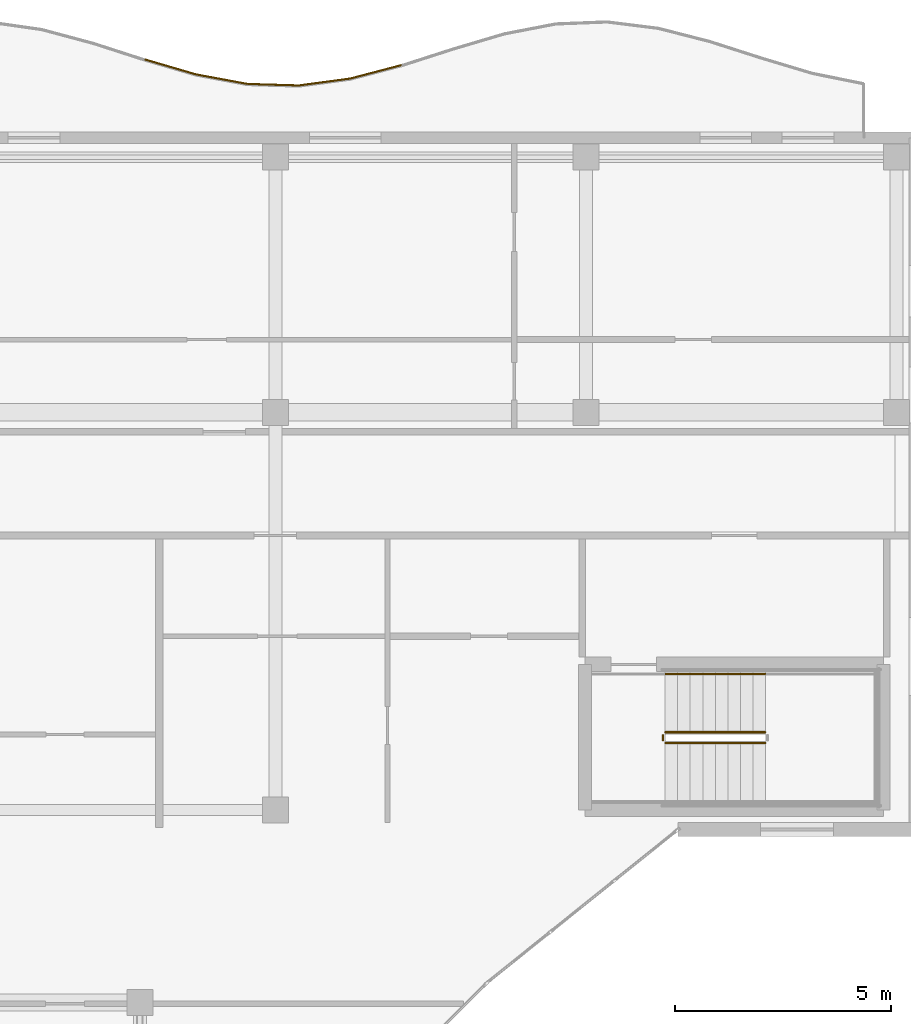
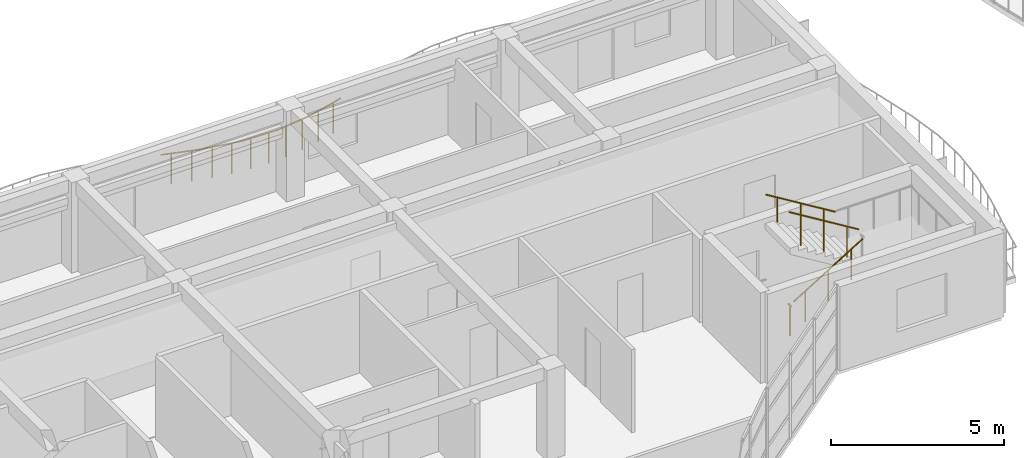
# One storey, part 63 of 71: 9 railings.
"""IFC4 building model written with IfcOpenShell, lengths in metres."""

import ifcopenshell
import ifcopenshell.guid

model = None  # the IFC model being written
_history = None  # IfcOwnerHistory: only IFC2X3 demands one
_inside = {}  # id of a spatial element -> (the spatial element, [elements in it])
_under = {}  # id of a project, library or spatial element -> (it, [spatial elements below it])
_declared = {}  # id of a project -> (the project, [libraries it declares])
_typed = {}  # id of a type object -> (the type object, [elements of that type])
_made_of = {}  # id of a material, layer set ... -> (it, [elements and type objects made of it])


def new_model(schema):
    """Start an empty IFC model of exactly this schema.

    Asked for "IFC4X3", IfcOpenShell would pick the latest addendum, in which some entities
    have other attributes; the version numbers below select the first issue.
    IFC2X3 requires an IfcOwnerHistory on every rooted entity: one is made here for all.
    """
    global model, _history
    if schema == "IFC4X3":
        model = ifcopenshell.file(schema_version=(4, 3, 0, 0))
    else:
        model = ifcopenshell.file(schema=schema)
    _inside.clear()
    _under.clear()
    _declared.clear()
    _typed.clear()
    _made_of.clear()
    _history = None
    if model.schema == "IFC2X3":
        org = make("IfcOrganization", Name="unknown")
        user = make(
            "IfcPersonAndOrganization",
            ThePerson=make("IfcPerson", FamilyName="unknown"),
            TheOrganization=org,
        )
        app = make(
            "IfcApplication",
            ApplicationDeveloper=org,
            Version="unknown",
            ApplicationFullName="unknown",
            ApplicationIdentifier="unknown",
        )
        _history = make(
            "IfcOwnerHistory",
            OwningUser=user,
            OwningApplication=app,
            ChangeAction="ADDED",
            CreationDate=0,
        )
    return model


def make(cls, **values):
    """One entity of the class cls with the attributes given. An attribute that is None is left unset."""
    return model.create_entity(
        cls, **{name: value for name, value in values.items() if value is not None}
    )


def rooted(cls, **values):
    """An entity with a GlobalId (a new one), such as an element, a storey or a relation."""
    return make(cls, GlobalId=ifcopenshell.guid.new(), OwnerHistory=_history, **values)


def si_unit(unit_type, name, prefix=None):
    """IfcSIUnit, for example si_unit("LENGTHUNIT", "METRE", prefix="MILLI")."""
    return make("IfcSIUnit", UnitType=unit_type, Prefix=prefix, Name=name)


def assignment(units):
    """IfcUnitAssignment: the units of a project."""
    return None if units is None else make("IfcUnitAssignment", Units=units)


def point(xyz):
    """IfcCartesianPoint."""
    return None if xyz is None else make("IfcCartesianPoint", Coordinates=xyz)


def direction(xyz):
    """IfcDirection."""
    return None if xyz is None else make("IfcDirection", DirectionRatios=xyz)


def frame(location, z_axis=None, x_axis=None):
    """IfcAxis2Placement3D, a coordinate frame: its origin and axes. An axis left out is left unset."""
    return make(
        "IfcAxis2Placement3D",
        Location=point(location),
        Axis=direction(z_axis),
        RefDirection=direction(x_axis),
    )


def frame_2d(location, x_axis=None):
    """IfcAxis2Placement2D, a coordinate frame in the plane: its origin and x axis."""
    return make(
        "IfcAxis2Placement2D", Location=point(location), RefDirection=direction(x_axis)
    )


def origin():
    """The frame at (0, 0, 0) with its axes left unset."""
    return frame((0.0, 0.0, 0.0))


def origin_2d():
    """The frame at (0, 0) in the plane with its x axis left unset."""
    return frame_2d((0.0, 0.0))


def place(relative_to, where):
    """IfcLocalPlacement: puts the frame where relative to a parent placement (None: the world)."""
    return make(
        "IfcLocalPlacement", PlacementRelTo=relative_to, RelativePlacement=where
    )


def context(
    kind, dimensions, precision=None, world=None, true_north=None, identifier=None
):
    """IfcGeometricRepresentationContext, for example the 3D "Model" context."""
    return make(
        "IfcGeometricRepresentationContext",
        ContextIdentifier=identifier,
        ContextType=kind,
        CoordinateSpaceDimension=dimensions,
        Precision=precision,
        WorldCoordinateSystem=world,
        TrueNorth=true_north,
    )


def subcontext(parent, identifier, kind, view, scale=None):
    """IfcGeometricRepresentationSubContext, for example "Body" below "Model"."""
    return make(
        "IfcGeometricRepresentationSubContext",
        ContextIdentifier=identifier,
        ContextType=kind,
        ParentContext=parent,
        TargetScale=scale,
        TargetView=view,
    )


def project(units=None, contexts=None):
    """IfcProject with its units and contexts."""
    return rooted(
        "IfcProject",
        Name="project",
        RepresentationContexts=contexts,
        UnitsInContext=assignment(units),
    )


def spatial(cls, under=None, at=None, **own):
    """A site, building, storey or space (cls), placed at a placement, below another one or the project."""
    s = rooted(cls, ObjectPlacement=at, **own)
    if under is not None:
        _under.setdefault(under.id(), (under, []))[1].append(s)
    return s


def profile(cls, at=None, kind="AREA", **sizes):
    """A parametric profile (cls). Its sizes go by their IFC names, for example OverallWidth=200.0."""
    return make(cls, ProfileType=kind, Position=at, **sizes)


def circle(**sizes):
    """IfcCircleProfileDef."""
    return profile("IfcCircleProfileDef", **sizes)


def extrude(swept, where, along, depth):
    """IfcExtrudedAreaSolid: the profile swept, set in the frame where, extruded along a direction by depth."""
    return make(
        "IfcExtrudedAreaSolid",
        SweptArea=swept,
        Position=where,
        ExtrudedDirection=direction(along),
        Depth=depth,
    )


def shape(context_of_items, identifier, shape_type, items):
    """IfcShapeRepresentation: the items that make up one representation, for example the "Body"."""
    return make(
        "IfcShapeRepresentation",
        ContextOfItems=context_of_items,
        RepresentationIdentifier=identifier,
        RepresentationType=shape_type,
        Items=items,
    )


def material(Name=None, Category=None):
    """IfcMaterial."""
    return make("IfcMaterial", Name=Name, Category=Category)


def made_of(thing, what):
    """Note that an element or type object is made of a material, layer set ...; save() writes the relation."""
    if what is not None:
        _made_of.setdefault(what.id(), (what, []))[1].append(thing)
    return thing


def type_object(cls, material=None, **own):
    """A type object (cls), such as IfcWallType, which elements share."""
    return made_of(rooted(cls, **own), material)


def element(
    cls,
    number,
    at=None,
    inside=None,
    cuts=None,
    type_object=None,
    material=None,
    context=None,
    identifier="Body",
    shape_type=None,
    held_by="IfcProductDefinitionShape",
    body=None,
    shapes=None,
    **own,
):
    """One element of the class cls, such as IfcWall. Its Tag is "e" and its number.

    at: its placement. inside: the storey or other place that contains it. cuts: it is an
    opening in that element (IfcRelVoidsElement). A single representation is given by context,
    identifier, shape_type and body (its items); several are given by shapes. held_by: the class
    of the entity that holds the representations. save() writes the other relations.
    """
    e = rooted(cls, Tag="e%d" % number, ObjectPlacement=at, **own)
    if body is not None:
        shapes = [shape(context, identifier, shape_type, body)]
    if shapes is not None:
        e.Representation = make(held_by, Representations=shapes)
    if inside is not None:
        _inside.setdefault(inside.id(), (inside, []))[1].append(e)
    if cuts is not None:
        rooted(
            "IfcRelVoidsElement", RelatingBuildingElement=cuts, RelatedOpeningElement=e
        )
    if type_object is not None:
        _typed.setdefault(type_object.id(), (type_object, []))[1].append(e)
    return made_of(e, material)


def aggregate(whole, parts):
    """IfcRelAggregates: a whole, such as a stair, and the parts it consists of."""
    return rooted("IfcRelAggregates", RelatingObject=whole, RelatedObjects=parts)


def save(model, path):
    """Write the relations noted so far, then the file.

    IfcRelAggregates (storeys below a building ...), IfcRelContainedInSpatialStructure (elements
    in a storey), IfcRelDefinesByType, IfcRelAssociatesMaterial and IfcRelDeclares: one each for
    every whole, place, type object, material and project.
    """
    for whole, parts in _under.values():
        aggregate(whole, parts)
    for where, things in _inside.values():
        rooted(
            "IfcRelContainedInSpatialStructure",
            RelatedElements=things,
            RelatingStructure=where,
        )
    for kind, things in _typed.values():
        rooted("IfcRelDefinesByType", RelatedObjects=things, RelatingType=kind)
    for what, things in _made_of.values():
        rooted("IfcRelAssociatesMaterial", RelatedObjects=things, RelatingMaterial=what)
    for by, libraries in _declared.values():
        rooted("IfcRelDeclares", RelatingContext=by, RelatedDefinitions=libraries)
    model.write(path)


model = new_model("IFC4")

# Units and contexts
model_context = context("Model", 3, precision=1e-05, world=origin(), true_north=direction((0.0, 1.0)))
body_context = subcontext(model_context, "Body", "Model", "MODEL_VIEW")
ifc_project = project(units=[si_unit("LENGTHUNIT", "METRE"), si_unit("AREAUNIT", "SQUARE_METRE"), si_unit("VOLUMEUNIT", "CUBIC_METRE"), si_unit("PLANEANGLEUNIT", "RADIAN"), si_unit("MASSUNIT", "GRAM", prefix="KILO")], contexts=[model_context])

# Site, building, storey
site_placement = place(None, origin())
site = spatial("IfcSite", under=ifc_project, at=site_placement, CompositionType="ELEMENT")
building_placement = place(site_placement, origin())
building = spatial("IfcBuilding", under=site, at=building_placement, Name="Keldmere Railside Commons", CompositionType="ELEMENT")
storey_placement = place(building_placement, frame((0.0, 0.0, 20.159912109375)))
storey = spatial("IfcBuildingStorey", under=building, at=storey_placement, Name="L06", CompositionType="ELEMENT", Elevation=20.159912109375)

# Railings
ifc_material = material(Name="Steel F-24 (S235)", Category="steel")
railing_type_1 = type_object("IfcRailingType", Name="Balcony & Terrace Steel Balustrade 1100", PredefinedType="BALUSTRADE", material=ifc_material)
railing_1_placement = place(storey_placement, frame((119.659912109375, 117.813720703125, 0.0)))
element("IfcRailing", 1, at=railing_1_placement, inside=storey, type_object=railing_type_1, Name="GR-1 GRD-L06-2521", PredefinedType="BALUSTRADE", context=body_context, shape_type="SweptSolid", body=[
    extrude(circle(Radius=0.02392578125, at=origin_2d()), frame((0.0, 0.0, 1.076171875), z_axis=(0.959794418032, -0.280703892232, 0.0), x_axis=(0.280703892232, 0.959794418032, 0.0)), (0.0, 0.0, 1.0), 1.238525390625),
    extrude(circle(Radius=0.02099609375, at=origin_2d()), frame((0.297119140625, -0.0869140625, 0.0)), (0.0, 0.0, 1.0), 1.048095703125),
    extrude(circle(Radius=0.02099609375, at=origin_2d()), frame((0.8916015625, -0.2607421875, 0.0)), (0.0, 0.0, 1.0), 1.048095703125),
])
railing_2_placement = place(storey_placement, frame((120.8486328125, 117.466064453125, 0.0)))
element("IfcRailing", 2, at=railing_2_placement, inside=storey, type_object=railing_type_1, Name="GR-1 GRD-L06-2522", PredefinedType="BALUSTRADE", context=body_context, shape_type="SweptSolid", body=[
    extrude(circle(Radius=0.02392578125, at=origin_2d()), frame((0.0, 0.0, 1.076171875), z_axis=(0.98322704593, -0.182385789333, 0.0), x_axis=(0.182385789333, 0.98322704593, 0.0)), (0.0, 0.0, 1.0), 1.208740234375),
    extrude(circle(Radius=0.02099609375, at=origin_2d()), frame((0.297119140625, -0.05517578125, 0.0)), (0.0, 0.0, 1.0), 1.048095703125),
    extrude(circle(Radius=0.02099609375, at=origin_2d()), frame((0.891357421875, -0.165283203125, 0.0)), (0.0, 0.0, 1.0), 1.048095703125),
])
railing_3_placement = place(storey_placement, frame((122.037109375, 117.24560546875, 0.0)))
element("IfcRailing", 3, at=railing_3_placement, inside=storey, type_object=railing_type_1, Name="GR-1 GRD-L06-2523", PredefinedType="BALUSTRADE", context=body_context, shape_type="SweptSolid", body=[
    extrude(circle(Radius=0.02392578125, at=origin_2d()), frame((0.0, 0.0, 1.076171875), z_axis=(0.999562771012, -0.029568003087, 0.0), x_axis=(0.029568003087, 0.999562771012, 0.0)), (0.0, 0.0, 1.0), 1.18896484375),
    extrude(circle(Radius=0.02099609375, at=origin_2d()), frame((0.297119140625, -0.0087890625, 0.0)), (0.0, 0.0, 1.0), 1.048095703125),
    extrude(circle(Radius=0.02099609375, at=origin_2d()), frame((0.891357421875, -0.0263671875, 0.0)), (0.0, 0.0, 1.0), 1.048095703125),
])
railing_4_placement = place(storey_placement, frame((123.2255859375, 117.21044921875, 0.0)))
element("IfcRailing", 4, at=railing_4_placement, inside=storey, type_object=railing_type_1, Name="GR-1 GRD-L06-2524", PredefinedType="BALUSTRADE", context=body_context, shape_type="SweptSolid", body=[
    extrude(circle(Radius=0.02392578125, at=origin_2d()), frame((0.0, 0.0, 1.076171875), z_axis=(0.991126274526, 0.132923692188, 0.0), x_axis=(-0.132923692188, 0.991126274526, 0.0)), (0.0, 0.0, 1.0), 1.199462890625),
    extrude(circle(Radius=0.02099609375, at=origin_2d()), frame((0.297119140625, 0.039794921875, 0.0)), (0.0, 0.0, 1.0), 1.048095703125),
    extrude(circle(Radius=0.02099609375, at=origin_2d()), frame((0.8916015625, 0.11962890625, 0.0)), (0.0, 0.0, 1.0), 1.048095703125),
])
railing_5_placement = place(storey_placement, frame((124.414306640625, 117.369873046875, 0.0)))
element("IfcRailing", 5, at=railing_5_placement, inside=storey, type_object=railing_type_1, Name="GR-1 GRD-L06-2525", PredefinedType="BALUSTRADE", context=body_context, shape_type="SweptSolid", body=[
    extrude(circle(Radius=0.02392578125, at=origin_2d()), frame((0.0, 0.0, 1.076171875), z_axis=(0.967223645884, 0.253926010567, 0.0), x_axis=(-0.253926010567, 0.967223645884, 0.0)), (0.0, 0.0, 1.0), 1.228759765625),
    extrude(circle(Radius=0.02099609375, at=origin_2d()), frame((0.297119140625, 0.078125, 0.0)), (0.0, 0.0, 1.0), 1.048095703125),
    extrude(circle(Radius=0.02099609375, at=origin_2d()), frame((0.891357421875, 0.23388671875, 0.0)), (0.0, 0.0, 1.0), 1.048095703125),
])
railing_type_2 = type_object("IfcRailingType", Name="Stair Well Steel Guardrail 1100", PredefinedType="BALUSTRADE", material=ifc_material)
railing_6_placement = place(storey_placement, frame((131.699951171875, 102.0, 0.177978515625)))
element("IfcRailing", 6, at=railing_6_placement, inside=storey, type_object=railing_type_2, Name="L06 ST-B2 stair guard 1", PredefinedType="BALUSTRADE", context=body_context, shape_type="SweptSolid", body=[
    extrude(circle(Radius=0.02392578125, at=origin_2d()), frame((0.0, 0.0, 1.076171875), z_axis=(0.852578041948, 0.0, 0.522599925744), x_axis=(0.0, 1.0, 0.0)), (0.0, 0.0, 1.0), 2.72119140625),
    extrude(circle(Radius=0.02099609375, at=origin_2d()), frame((0.38671875, 0.0, 0.237060546875)), (0.0, 0.0, 1.0), 1.048095703125),
    extrude(circle(Radius=0.02099609375, at=origin_2d()), frame((1.16015625, 0.0, 0.7109375)), (0.0, 0.0, 1.0), 1.048095703125),
    extrude(circle(Radius=0.02099609375, at=origin_2d()), frame((1.933349609375, 0.0, 1.18505859375)), (0.0, 0.0, 1.0), 1.048095703125),
])
railing_7_placement = place(storey_placement, frame((134.02001953125, 102.25, 1.77783203125)))
element("IfcRailing", 7, at=railing_7_placement, inside=storey, type_object=railing_type_2, Name="L06 ST-B2 stair guard 6", PredefinedType="BALUSTRADE", context=body_context, shape_type="SweptSolid", body=[
    extrude(circle(Radius=0.02392578125, at=origin_2d()), frame((0.0, 0.0, 1.076171875), z_axis=(-0.852538067394, 0.0, 0.522665135287), x_axis=(0.0, -1.0, 0.0)), (0.0, 0.0, 1.0), 2.721435546875),
    extrude(circle(Radius=0.02099609375, at=origin_2d()), frame((-0.38671875, 0.0, 0.237060546875)), (0.0, 0.0, 1.0), 1.048095703125),
    extrude(circle(Radius=0.02099609375, at=origin_2d()), frame((-1.16015625, 0.0, 0.711181640625)), (0.0, 0.0, 1.0), 1.048095703125),
    extrude(circle(Radius=0.02099609375, at=origin_2d()), frame((-1.933349609375, 0.0, 1.185302734375)), (0.0, 0.0, 1.0), 1.048095703125),
])
railing_8_placement = place(storey_placement, frame((131.64990234375, 102.050048828125, 0.0)))
element("IfcRailing", 8, at=railing_8_placement, inside=storey, type_object=railing_type_2, Name="L06 ST-B2 stair guard 7", PredefinedType="BALUSTRADE", context=body_context, shape_type="SweptSolid", body=[
    extrude(circle(Radius=0.02392578125, at=origin_2d()), frame((0.0, 0.0, 1.076171875), z_axis=(0.0, 1.0, 0.0), x_axis=(-1.0, 0.0, 0.0)), (0.0, 0.0, 1.0), 0.14990234375),
    extrude(circle(Radius=0.02099609375, at=origin_2d()), frame((0.0, 0.074951171875, 0.0)), (0.0, 0.0, 1.0), 1.048095703125),
])
railing_type_3 = type_object("IfcRailingType", Name="Wall-Mounted Tubular Steel Handrail 900", PredefinedType="HANDRAIL", material=ifc_material)
railing_9_placement = place(storey_placement, frame((134.02001953125, 103.60009765625, 1.77783203125)))
element("IfcRailing", 9, at=railing_9_placement, inside=storey, type_object=railing_type_3, Name="L06 ST-B2 stair handrail 2", PredefinedType="HANDRAIL", context=body_context, shape_type="SweptSolid", body=[
    extrude(circle(Radius=0.02392578125, at=origin_2d()), frame((0.0, 0.0, 0.8759765625), z_axis=(-0.852538067394, 0.0, 0.522665135287), x_axis=(0.0, -1.0, 0.0)), (0.0, 0.0, 1.0), 2.721435546875),
    extrude(circle(Radius=0.02099609375, at=origin_2d()), frame((-0.38671875, 0.0, 0.237060546875)), (0.0, 0.0, 1.0), 0.847900390625),
    extrude(circle(Radius=0.02099609375, at=origin_2d()), frame((-1.16015625, 0.0, 0.711181640625)), (0.0, 0.0, 1.0), 0.847900390625),
    extrude(circle(Radius=0.02099609375, at=origin_2d()), frame((-1.933349609375, 0.0, 1.185302734375)), (0.0, 0.0, 1.0), 0.847900390625),
])

save(model, "model.ifc")
